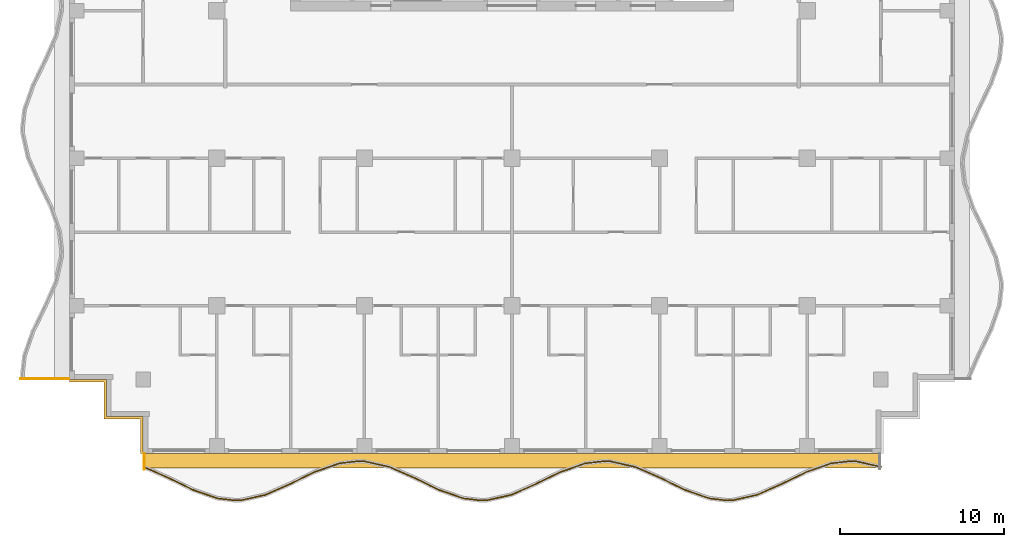
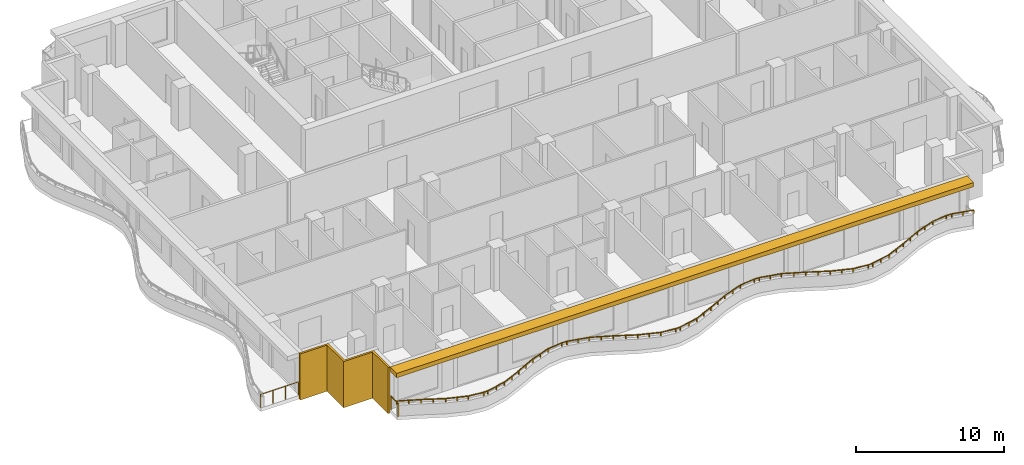
# One storey, part 8 of 11: 3 railings, 2 shading devices.
"""IFC4 building model written with IfcOpenShell, lengths in metres."""

from ifc_helpers import new_model, si_unit, direction, frame, origin, origin_2d, place, context, subcontext, project, spatial, polyline, rectangle, outline, extrude, material, layer, layer_set, type_object, element, save


model = new_model("IFC4")

# Units and contexts
model_context = context("Model", 3, precision=1e-05, world=origin(), true_north=direction((0.0, 1.0)))
body_context = subcontext(model_context, "Body", "Model", "MODEL_VIEW")
ifc_project = project(units=[si_unit("LENGTHUNIT", "METRE"), si_unit("AREAUNIT", "SQUARE_METRE"), si_unit("VOLUMEUNIT", "CUBIC_METRE"), si_unit("PLANEANGLEUNIT", "RADIAN"), si_unit("MASSUNIT", "GRAM", prefix="KILO")], contexts=[model_context])

# Site, building, storey
site_placement = place(None, origin())
site = spatial("IfcSite", under=ifc_project, at=site_placement, CompositionType="ELEMENT")
building_placement = place(site_placement, origin())
building = spatial("IfcBuilding", under=site, at=building_placement, Name="Orbiselva Terraces", CompositionType="ELEMENT")
storey_placement = place(building_placement, frame((0.0, 0.0, 238.8)))
storey = spatial("IfcBuildingStorey", under=building, at=storey_placement, Name="L60", CompositionType="ELEMENT", Elevation=238.8)

# Railings
ifc_material_1 = material(Name="Bonded two-ply safety glass balustrade, stainless steel posts", Category="steel")
railing_type_1 = type_object("IfcRailingType", Name="ENV-BALUSTRADE-1200", PredefinedType="BALUSTRADE", material=ifc_material_1)
railing_1_placement = place(storey_placement, frame((-22.449606, -23.33708, 0.9)))
element("IfcRailing", 1, at=railing_1_placement, inside=storey, type_object=railing_type_1, Name="Balcony balustrade L60 S", PredefinedType="BALUSTRADE", context=body_context, shape_type="SweptSolid", body=[
    extrude(outline(polyline([(0.028868, 0.0), (0.014434, 0.025), (-0.014434, 0.025), (-0.028868, 0.0), (-0.014434, -0.025), (0.014434, -0.025), (0.028868, 0.0)])), frame((0.0, 0.0, 0.275), z_axis=(0.915133394491, -0.403151175476, 0.0), x_axis=(0.403151175476, 0.915133394491, 0.0)), (0.0, 0.0, 1.0), 1.641563),
    extrude(outline(polyline([(0.028868, 0.0), (0.014434, 0.025), (-0.014434, 0.025), (-0.028868, 0.0), (-0.014434, -0.025), (0.014434, -0.025), (0.028868, 0.0)])), frame((1.502249, -0.661798, 0.275), z_axis=(0.89857890432, -0.438811978768, 0.0), x_axis=(0.438811978768, 0.89857890432, 0.0)), (0.0, 0.0, 1.0), 1.66438),
    extrude(outline(polyline([(0.028868, 0.0), (0.014434, 0.025), (-0.014434, 0.025), (-0.028868, 0.0), (-0.014434, -0.025), (0.014434, -0.025), (0.028868, 0.0)])), frame((2.997826, -1.392148, 0.275), z_axis=(0.943972277814, -0.330024754707, 0.0), x_axis=(0.330024754707, 0.943972277814, 0.0)), (0.0, 0.0, 1.0), 1.567807),
    extrude(outline(polyline([(0.028868, 0.0), (0.014434, 0.025), (-0.014434, 0.025), (-0.028868, 0.0), (-0.014434, -0.025), (0.014434, -0.025), (0.028868, 0.0)])), frame((4.477792, -1.909563, 0.275), z_axis=(0.993309658409, -0.115481264762, 0.0), x_axis=(0.115481264762, 0.993309658409, 0.0)), (0.0, 0.0, 1.0), 1.10902),
    extrude(outline(polyline([(0.028868, 0.0), (0.014434, 0.025), (-0.014434, 0.025), (-0.028868, 0.0), (-0.014434, -0.025), (0.014434, -0.025), (0.028868, 0.0)])), frame((5.579392, -2.037634, 0.275), z_axis=(0.999224931454, 0.039364150694, 0.0), x_axis=(-0.039364150694, 0.999224931454, 0.0)), (0.0, 0.0, 1.0), 0.354206),
    extrude(outline(polyline([(0.028868, 0.0), (0.014434, 0.025), (-0.014434, 0.025), (-0.028868, 0.0), (-0.014434, -0.025), (0.014434, -0.025), (0.028868, 0.0)])), frame((5.933323, -2.023691, 0.275), z_axis=(0.975721325753, 0.219015740235, 0.0), x_axis=(-0.219015740235, 0.975721325753, 0.0)), (0.0, 0.0, 1.0), 1.513782),
    extrude(outline(polyline([(0.028868, 0.0), (0.014434, 0.025), (-0.014434, 0.025), (-0.028868, 0.0), (-0.014434, -0.025), (0.014434, -0.025), (0.028868, 0.0)])), frame((7.410352, -1.692149, 0.275), z_axis=(0.915133363686, 0.403151245402, 0.0), x_axis=(-0.403151245402, 0.915133363686, 0.0)), (0.0, 0.0, 1.0), 1.624475),
    extrude(outline(polyline([(0.028868, 0.0), (0.014434, 0.025), (-0.014434, 0.025), (-0.028868, 0.0), (-0.014434, -0.025), (0.014434, -0.025), (0.028868, 0.0)])), frame((8.896963, -1.03724, 0.275), z_axis=(0.898578870221, 0.438812048596, 0.0), x_axis=(-0.438812048596, 0.898578870221, 0.0)), (0.0, 0.0, 1.0), 1.674225),
    extrude(outline(polyline([(0.028868, 0.0), (0.014434, 0.025), (-0.014434, 0.025), (-0.028868, 0.0), (-0.014434, -0.025), (0.014434, -0.025), (0.028868, 0.0)])), frame((10.401386, -0.30257, 0.275), z_axis=(0.943972332783, 0.330024597479, 0.0), x_axis=(-0.330024597479, 0.943972332783, 0.0)), (0.0, 0.0, 1.0), 1.610253),
    extrude(outline(polyline([(0.028868, 0.0), (0.014434, 0.025), (-0.014434, 0.025), (-0.028868, 0.0), (-0.014434, -0.025), (0.014434, -0.025), (0.028868, 0.0)])), frame((11.92142, 0.228853, 0.275), z_axis=(0.993309551734, 0.115482182324, 0.0), x_axis=(-0.115482182324, 0.993309551734, 0.0)), (0.0, 0.0, 1.0), 1.156135),
    extrude(outline(polyline([(0.028868, 0.0), (0.014434, 0.025), (-0.014434, 0.025), (-0.028868, 0.0), (-0.014434, -0.025), (0.014434, -0.025), (0.028868, 0.0)])), frame((13.06982, 0.362366, 0.275), z_axis=(0.999224734286, -0.03936915532, 0.0), x_axis=(0.03936915532, 0.999224734286, 0.0)), (0.0, 0.0, 1.0), 0.396376),
    extrude(outline(polyline([(0.028868, 0.0), (0.014434, 0.025), (-0.014434, 0.025), (-0.028868, 0.0), (-0.014434, -0.025), (0.014434, -0.025), (0.028868, 0.0)])), frame((13.465889, 0.346761, 0.275), z_axis=(0.97572137947, -0.219015500924, 0.0), x_axis=(0.219015500924, 0.97572137947, 0.0)), (0.0, 0.0, 1.0), 1.560867),
    extrude(outline(polyline([(0.028868, 0.0), (0.014434, 0.025), (-0.014434, 0.025), (-0.028868, 0.0), (-0.014434, -0.025), (0.014434, -0.025), (0.028868, 0.0)])), frame((14.98886, 0.004907, 0.275), z_axis=(0.915133527237, -0.403150874148, 0.0), x_axis=(0.403150874148, 0.915133527237, 0.0)), (0.0, 0.0, 1.0), 1.653736),
    extrude(outline(polyline([(0.028868, 0.0), (0.014434, 0.025), (-0.014434, 0.025), (-0.028868, 0.0), (-0.014434, -0.025), (0.014434, -0.025), (0.028868, 0.0)])), frame((16.502249, -0.661798, 0.275), z_axis=(0.89857890432, -0.438811978768, 0.0), x_axis=(0.438811978768, 0.89857890432, 0.0)), (0.0, 0.0, 1.0), 1.66438),
    extrude(outline(polyline([(0.028868, 0.0), (0.014434, 0.025), (-0.014434, 0.025), (-0.028868, 0.0), (-0.014434, -0.025), (0.014434, -0.025), (0.028868, 0.0)])), frame((17.997826, -1.392148, 0.275), z_axis=(0.943972277814, -0.330024754707, 0.0), x_axis=(0.330024754707, 0.943972277814, 0.0)), (0.0, 0.0, 1.0), 1.567807),
    extrude(outline(polyline([(0.028868, 0.0), (0.014434, 0.025), (-0.014434, 0.025), (-0.028868, 0.0), (-0.014434, -0.025), (0.014434, -0.025), (0.028868, 0.0)])), frame((19.477792, -1.909563, 0.275), z_axis=(0.993309658409, -0.115481264762, 0.0), x_axis=(0.115481264762, 0.993309658409, 0.0)), (0.0, 0.0, 1.0), 1.10902),
    extrude(outline(polyline([(0.028868, 0.0), (0.014434, 0.025), (-0.014434, 0.025), (-0.028868, 0.0), (-0.014434, -0.025), (0.014434, -0.025), (0.028868, 0.0)])), frame((20.579392, -2.037634, 0.275), z_axis=(0.999224931454, 0.039364150694, 0.0), x_axis=(-0.039364150694, 0.999224931454, 0.0)), (0.0, 0.0, 1.0), 0.354206),
    extrude(outline(polyline([(0.028868, 0.0), (0.014434, 0.025), (-0.014434, 0.025), (-0.028868, 0.0), (-0.014434, -0.025), (0.014434, -0.025), (0.028868, 0.0)])), frame((20.933323, -2.023691, 0.275), z_axis=(0.975721325753, 0.219015740235, 0.0), x_axis=(-0.219015740235, 0.975721325753, 0.0)), (0.0, 0.0, 1.0), 1.513782),
    extrude(outline(polyline([(0.028868, 0.0), (0.014434, 0.025), (-0.014434, 0.025), (-0.028868, 0.0), (-0.014434, -0.025), (0.014434, -0.025), (0.028868, 0.0)])), frame((22.410352, -1.692149, 0.275), z_axis=(0.915133363686, 0.403151245402, 0.0), x_axis=(-0.403151245402, 0.915133363686, 0.0)), (0.0, 0.0, 1.0), 1.624475),
    extrude(outline(polyline([(0.028868, 0.0), (0.014434, 0.025), (-0.014434, 0.025), (-0.028868, 0.0), (-0.014434, -0.025), (0.014434, -0.025), (0.028868, 0.0)])), frame((23.896963, -1.03724, 0.275), z_axis=(0.898578870221, 0.438812048596, 0.0), x_axis=(-0.438812048596, 0.898578870221, 0.0)), (0.0, 0.0, 1.0), 1.674225),
    extrude(outline(polyline([(0.028868, 0.0), (0.014434, 0.025), (-0.014434, 0.025), (-0.028868, 0.0), (-0.014434, -0.025), (0.014434, -0.025), (0.028868, 0.0)])), frame((25.401386, -0.30257, 0.275), z_axis=(0.943972332783, 0.330024597479, 0.0), x_axis=(-0.330024597479, 0.943972332783, 0.0)), (0.0, 0.0, 1.0), 1.610253),
    extrude(outline(polyline([(0.028868, 0.0), (0.014434, 0.025), (-0.014434, 0.025), (-0.028868, 0.0), (-0.014434, -0.025), (0.014434, -0.025), (0.028868, 0.0)])), frame((26.92142, 0.228853, 0.275), z_axis=(0.993309551734, 0.115482182324, 0.0), x_axis=(-0.115482182324, 0.993309551734, 0.0)), (0.0, 0.0, 1.0), 1.156135),
    extrude(outline(polyline([(0.028868, 0.0), (0.014434, 0.025), (-0.014434, 0.025), (-0.028868, 0.0), (-0.014434, -0.025), (0.014434, -0.025), (0.028868, 0.0)])), frame((28.06982, 0.362366, 0.275), z_axis=(0.999224734286, -0.03936915532, 0.0), x_axis=(0.03936915532, 0.999224734286, 0.0)), (0.0, 0.0, 1.0), 0.396376),
    extrude(outline(polyline([(0.028868, 0.0), (0.014434, 0.025), (-0.014434, 0.025), (-0.028868, 0.0), (-0.014434, -0.025), (0.014434, -0.025), (0.028868, 0.0)])), frame((28.465889, 0.346761, 0.275), z_axis=(0.97572137947, -0.219015500924, 0.0), x_axis=(0.219015500924, 0.97572137947, 0.0)), (0.0, 0.0, 1.0), 1.560867),
    extrude(outline(polyline([(0.028868, 0.0), (0.014434, 0.025), (-0.014434, 0.025), (-0.028868, 0.0), (-0.014434, -0.025), (0.014434, -0.025), (0.028868, 0.0)])), frame((29.98886, 0.004907, 0.275), z_axis=(0.915133527237, -0.403150874148, 0.0), x_axis=(0.403150874148, 0.915133527237, 0.0)), (0.0, 0.0, 1.0), 1.653736),
    extrude(outline(polyline([(0.028868, 0.0), (0.014434, 0.025), (-0.014434, 0.025), (-0.028868, 0.0), (-0.014434, -0.025), (0.014434, -0.025), (0.028868, 0.0)])), frame((31.502249, -0.661798, 0.275), z_axis=(0.89857890432, -0.438811978768, 0.0), x_axis=(0.438811978768, 0.89857890432, 0.0)), (0.0, 0.0, 1.0), 1.66438),
    extrude(outline(polyline([(0.028868, 0.0), (0.014434, 0.025), (-0.014434, 0.025), (-0.028868, 0.0), (-0.014434, -0.025), (0.014434, -0.025), (0.028868, 0.0)])), frame((32.997826, -1.392148, 0.275), z_axis=(0.943972277814, -0.330024754707, 0.0), x_axis=(0.330024754707, 0.943972277814, 0.0)), (0.0, 0.0, 1.0), 1.567807),
    extrude(outline(polyline([(0.028868, 0.0), (0.014434, 0.025), (-0.014434, 0.025), (-0.028868, 0.0), (-0.014434, -0.025), (0.014434, -0.025), (0.028868, 0.0)])), frame((34.477792, -1.909563, 0.275), z_axis=(0.993309658409, -0.115481264762, 0.0), x_axis=(0.115481264762, 0.993309658409, 0.0)), (0.0, 0.0, 1.0), 1.10902),
    extrude(outline(polyline([(0.028868, 0.0), (0.014434, 0.025), (-0.014434, 0.025), (-0.028868, 0.0), (-0.014434, -0.025), (0.014434, -0.025), (0.028868, 0.0)])), frame((35.579392, -2.037634, 0.275), z_axis=(0.999224931454, 0.039364150694, 0.0), x_axis=(-0.039364150694, 0.999224931454, 0.0)), (0.0, 0.0, 1.0), 0.354206),
    extrude(outline(polyline([(0.028868, 0.0), (0.014434, 0.025), (-0.014434, 0.025), (-0.028868, 0.0), (-0.014434, -0.025), (0.014434, -0.025), (0.028868, 0.0)])), frame((35.933323, -2.023691, 0.275), z_axis=(0.975721325753, 0.219015740235, 0.0), x_axis=(-0.219015740235, 0.975721325753, 0.0)), (0.0, 0.0, 1.0), 1.513782),
    extrude(outline(polyline([(0.028868, 0.0), (0.014434, 0.025), (-0.014434, 0.025), (-0.028868, 0.0), (-0.014434, -0.025), (0.014434, -0.025), (0.028868, 0.0)])), frame((37.410352, -1.692149, 0.275), z_axis=(0.915133363686, 0.403151245402, 0.0), x_axis=(-0.403151245402, 0.915133363686, 0.0)), (0.0, 0.0, 1.0), 1.624475),
    extrude(outline(polyline([(0.028868, 0.0), (0.014434, 0.025), (-0.014434, 0.025), (-0.028868, 0.0), (-0.014434, -0.025), (0.014434, -0.025), (0.028868, 0.0)])), frame((38.896963, -1.03724, 0.275), z_axis=(0.898578870221, 0.438812048596, 0.0), x_axis=(-0.438812048596, 0.898578870221, 0.0)), (0.0, 0.0, 1.0), 1.674225),
    extrude(outline(polyline([(0.028868, 0.0), (0.014434, 0.025), (-0.014434, 0.025), (-0.028868, 0.0), (-0.014434, -0.025), (0.014434, -0.025), (0.028868, 0.0)])), frame((40.401386, -0.30257, 0.275), z_axis=(0.943972332783, 0.330024597479, 0.0), x_axis=(-0.330024597479, 0.943972332783, 0.0)), (0.0, 0.0, 1.0), 1.610253),
    extrude(outline(polyline([(0.028868, 0.0), (0.014434, 0.025), (-0.014434, 0.025), (-0.028868, 0.0), (-0.014434, -0.025), (0.014434, -0.025), (0.028868, 0.0)])), frame((41.92142, 0.228853, 0.275), z_axis=(0.993309551734, 0.115482182324, 0.0), x_axis=(-0.115482182324, 0.993309551734, 0.0)), (0.0, 0.0, 1.0), 1.156135),
    extrude(outline(polyline([(0.028868, 0.0), (0.014434, 0.025), (-0.014434, 0.025), (-0.028868, 0.0), (-0.014434, -0.025), (0.014434, -0.025), (0.028868, 0.0)])), frame((43.06982, 0.362366, 0.275), z_axis=(0.999224734286, -0.03936915532, 0.0), x_axis=(0.03936915532, 0.999224734286, 0.0)), (0.0, 0.0, 1.0), 0.396376),
    extrude(outline(polyline([(0.028868, 0.0), (0.014434, 0.025), (-0.014434, 0.025), (-0.028868, 0.0), (-0.014434, -0.025), (0.014434, -0.025), (0.028868, 0.0)])), frame((43.465889, 0.346761, 0.275), z_axis=(0.97572138316, -0.219015484484, 0.0), x_axis=(0.219015484484, 0.97572138316, 0.0)), (0.0, 0.0, 1.0), 1.548694),
    extrude(rectangle(XDim=0.05, YDim=0.05, at=origin_2d()), origin(), (0.0, 0.0, 1.0), 0.25),
    extrude(rectangle(XDim=0.05, YDim=0.05, at=origin_2d()), frame((0.751124, -0.330899, 0.0)), (0.0, 0.0, 1.0), 0.25),
    extrude(rectangle(XDim=0.05, YDim=0.05, at=origin_2d()), frame((1.502249, -0.661798, 0.0)), (0.0, 0.0, 1.0), 0.25),
    extrude(rectangle(XDim=0.05, YDim=0.05, at=origin_2d()), frame((2.250037, -1.026973, 0.0)), (0.0, 0.0, 1.0), 0.25),
    extrude(rectangle(XDim=0.05, YDim=0.05, at=origin_2d()), frame((2.997826, -1.392148, 0.0)), (0.0, 0.0, 1.0), 0.25),
    extrude(rectangle(XDim=0.05, YDim=0.05, at=origin_2d()), frame((3.737809, -1.650855, 0.0)), (0.0, 0.0, 1.0), 0.25),
    extrude(rectangle(XDim=0.05, YDim=0.05, at=origin_2d()), frame((4.477792, -1.909563, 0.0)), (0.0, 0.0, 1.0), 0.25),
    extrude(rectangle(XDim=0.05, YDim=0.05, at=origin_2d()), frame((5.579392, -2.037634, 0.0)), (0.0, 0.0, 1.0), 0.25),
    extrude(rectangle(XDim=0.05, YDim=0.05, at=origin_2d()), frame((5.933323, -2.023691, 0.0)), (0.0, 0.0, 1.0), 0.25),
    extrude(rectangle(XDim=0.05, YDim=0.05, at=origin_2d()), frame((6.671837, -1.85792, 0.0)), (0.0, 0.0, 1.0), 0.25),
    extrude(rectangle(XDim=0.05, YDim=0.05, at=origin_2d()), frame((7.410352, -1.692149, 0.0)), (0.0, 0.0, 1.0), 0.25),
    extrude(rectangle(XDim=0.05, YDim=0.05, at=origin_2d()), frame((8.153658, -1.364695, 0.0)), (0.0, 0.0, 1.0), 0.25),
    extrude(rectangle(XDim=0.05, YDim=0.05, at=origin_2d()), frame((8.896963, -1.03724, 0.0)), (0.0, 0.0, 1.0), 0.25),
    extrude(rectangle(XDim=0.05, YDim=0.05, at=origin_2d()), frame((9.649174, -0.669905, 0.0)), (0.0, 0.0, 1.0), 0.25),
    extrude(rectangle(XDim=0.05, YDim=0.05, at=origin_2d()), frame((10.401386, -0.30257, 0.0)), (0.0, 0.0, 1.0), 0.25),
    extrude(rectangle(XDim=0.05, YDim=0.05, at=origin_2d()), frame((11.161403, -0.036858, 0.0)), (0.0, 0.0, 1.0), 0.25),
    extrude(rectangle(XDim=0.05, YDim=0.05, at=origin_2d()), frame((11.92142, 0.228853, 0.0)), (0.0, 0.0, 1.0), 0.25),
    extrude(rectangle(XDim=0.05, YDim=0.05, at=origin_2d()), frame((13.06982, 0.362366, 0.0)), (0.0, 0.0, 1.0), 0.25),
    extrude(rectangle(XDim=0.05, YDim=0.05, at=origin_2d()), frame((13.465889, 0.346761, 0.0)), (0.0, 0.0, 1.0), 0.25),
    extrude(rectangle(XDim=0.05, YDim=0.05, at=origin_2d()), frame((14.227374, 0.175834, 0.0)), (0.0, 0.0, 1.0), 0.25),
    extrude(rectangle(XDim=0.05, YDim=0.05, at=origin_2d()), frame((14.98886, 0.004907, 0.0)), (0.0, 0.0, 1.0), 0.25),
    extrude(rectangle(XDim=0.05, YDim=0.05, at=origin_2d()), frame((15.745554, -0.328446, 0.0)), (0.0, 0.0, 1.0), 0.25),
    extrude(rectangle(XDim=0.05, YDim=0.05, at=origin_2d()), frame((16.502249, -0.661798, 0.0)), (0.0, 0.0, 1.0), 0.25),
    extrude(rectangle(XDim=0.05, YDim=0.05, at=origin_2d()), frame((17.250037, -1.026973, 0.0)), (0.0, 0.0, 1.0), 0.25),
    extrude(rectangle(XDim=0.05, YDim=0.05, at=origin_2d()), frame((17.997826, -1.392148, 0.0)), (0.0, 0.0, 1.0), 0.25),
    extrude(rectangle(XDim=0.05, YDim=0.05, at=origin_2d()), frame((18.737809, -1.650855, 0.0)), (0.0, 0.0, 1.0), 0.25),
    extrude(rectangle(XDim=0.05, YDim=0.05, at=origin_2d()), frame((19.477792, -1.909563, 0.0)), (0.0, 0.0, 1.0), 0.25),
    extrude(rectangle(XDim=0.05, YDim=0.05, at=origin_2d()), frame((20.579392, -2.037634, 0.0)), (0.0, 0.0, 1.0), 0.25),
    extrude(rectangle(XDim=0.05, YDim=0.05, at=origin_2d()), frame((20.933323, -2.023691, 0.0)), (0.0, 0.0, 1.0), 0.25),
    extrude(rectangle(XDim=0.05, YDim=0.05, at=origin_2d()), frame((21.671838, -1.85792, 0.0)), (0.0, 0.0, 1.0), 0.25),
    extrude(rectangle(XDim=0.05, YDim=0.05, at=origin_2d()), frame((22.410352, -1.692149, 0.0)), (0.0, 0.0, 1.0), 0.25),
    extrude(rectangle(XDim=0.05, YDim=0.05, at=origin_2d()), frame((23.153658, -1.364695, 0.0)), (0.0, 0.0, 1.0), 0.25),
    extrude(rectangle(XDim=0.05, YDim=0.05, at=origin_2d()), frame((23.896963, -1.03724, 0.0)), (0.0, 0.0, 1.0), 0.25),
    extrude(rectangle(XDim=0.05, YDim=0.05, at=origin_2d()), frame((24.649174, -0.669905, 0.0)), (0.0, 0.0, 1.0), 0.25),
    extrude(rectangle(XDim=0.05, YDim=0.05, at=origin_2d()), frame((25.401386, -0.30257, 0.0)), (0.0, 0.0, 1.0), 0.25),
    extrude(rectangle(XDim=0.05, YDim=0.05, at=origin_2d()), frame((26.161403, -0.036858, 0.0)), (0.0, 0.0, 1.0), 0.25),
    extrude(rectangle(XDim=0.05, YDim=0.05, at=origin_2d()), frame((26.92142, 0.228853, 0.0)), (0.0, 0.0, 1.0), 0.25),
    extrude(rectangle(XDim=0.05, YDim=0.05, at=origin_2d()), frame((28.06982, 0.362366, 0.0)), (0.0, 0.0, 1.0), 0.25),
    extrude(rectangle(XDim=0.05, YDim=0.05, at=origin_2d()), frame((28.465889, 0.346761, 0.0)), (0.0, 0.0, 1.0), 0.25),
    extrude(rectangle(XDim=0.05, YDim=0.05, at=origin_2d()), frame((29.227374, 0.175834, 0.0)), (0.0, 0.0, 1.0), 0.25),
    extrude(rectangle(XDim=0.05, YDim=0.05, at=origin_2d()), frame((29.98886, 0.004907, 0.0)), (0.0, 0.0, 1.0), 0.25),
    extrude(rectangle(XDim=0.05, YDim=0.05, at=origin_2d()), frame((30.745554, -0.328446, 0.0)), (0.0, 0.0, 1.0), 0.25),
    extrude(rectangle(XDim=0.05, YDim=0.05, at=origin_2d()), frame((31.502249, -0.661798, 0.0)), (0.0, 0.0, 1.0), 0.25),
    extrude(rectangle(XDim=0.05, YDim=0.05, at=origin_2d()), frame((32.250038, -1.026973, 0.0)), (0.0, 0.0, 1.0), 0.25),
    extrude(rectangle(XDim=0.05, YDim=0.05, at=origin_2d()), frame((32.997826, -1.392148, 0.0)), (0.0, 0.0, 1.0), 0.25),
    extrude(rectangle(XDim=0.05, YDim=0.05, at=origin_2d()), frame((33.737809, -1.650855, 0.0)), (0.0, 0.0, 1.0), 0.25),
    extrude(rectangle(XDim=0.05, YDim=0.05, at=origin_2d()), frame((34.477792, -1.909563, 0.0)), (0.0, 0.0, 1.0), 0.25),
    extrude(rectangle(XDim=0.05, YDim=0.05, at=origin_2d()), frame((35.579392, -2.037634, 0.0)), (0.0, 0.0, 1.0), 0.25),
    extrude(rectangle(XDim=0.05, YDim=0.05, at=origin_2d()), frame((35.933323, -2.023691, 0.0)), (0.0, 0.0, 1.0), 0.25),
    extrude(rectangle(XDim=0.05, YDim=0.05, at=origin_2d()), frame((36.671838, -1.85792, 0.0)), (0.0, 0.0, 1.0), 0.25),
    extrude(rectangle(XDim=0.05, YDim=0.05, at=origin_2d()), frame((37.410352, -1.692149, 0.0)), (0.0, 0.0, 1.0), 0.25),
    extrude(rectangle(XDim=0.05, YDim=0.05, at=origin_2d()), frame((38.153658, -1.364695, 0.0)), (0.0, 0.0, 1.0), 0.25),
    extrude(rectangle(XDim=0.05, YDim=0.05, at=origin_2d()), frame((38.896963, -1.03724, 0.0)), (0.0, 0.0, 1.0), 0.25),
    extrude(rectangle(XDim=0.05, YDim=0.05, at=origin_2d()), frame((39.649174, -0.669905, 0.0)), (0.0, 0.0, 1.0), 0.25),
    extrude(rectangle(XDim=0.05, YDim=0.05, at=origin_2d()), frame((40.401386, -0.30257, 0.0)), (0.0, 0.0, 1.0), 0.25),
    extrude(rectangle(XDim=0.05, YDim=0.05, at=origin_2d()), frame((41.161403, -0.036858, 0.0)), (0.0, 0.0, 1.0), 0.25),
    extrude(rectangle(XDim=0.05, YDim=0.05, at=origin_2d()), frame((41.92142, 0.228853, 0.0)), (0.0, 0.0, 1.0), 0.25),
    extrude(rectangle(XDim=0.05, YDim=0.05, at=origin_2d()), frame((43.06982, 0.362366, 0.0)), (0.0, 0.0, 1.0), 0.25),
    extrude(rectangle(XDim=0.05, YDim=0.05, at=origin_2d()), frame((43.465889, 0.346761, 0.0)), (0.0, 0.0, 1.0), 0.25),
    extrude(rectangle(XDim=0.05, YDim=0.05, at=origin_2d()), frame((44.221436, 0.177167, 0.0)), (0.0, 0.0, 1.0), 0.25),
    extrude(rectangle(XDim=0.05, YDim=0.05, at=origin_2d()), frame((44.976983, 0.007573, 0.0)), (0.0, 0.0, 1.0), 0.25),
])
ifc_material_2 = material(Name="Stainless steel rail and posts", Category="steel")
railing_type_2 = type_object("IfcRailingType", Name="ENV-GUARD-1105", PredefinedType="BALUSTRADE", material=ifc_material_2)
railing_2_placement = place(storey_placement, frame((-22.44, -23.473063, 0.0)))
element("IfcRailing", 2, at=railing_2_placement, inside=storey, type_object=railing_type_2, Name="Balcony end guard L60 S", PredefinedType="BALUSTRADE", context=body_context, shape_type="SweptSolid", body=[
    extrude(outline(polyline([(0.028868, 0.0), (0.014434, 0.025), (-0.014434, 0.025), (-0.028868, 0.0), (-0.014434, -0.025), (0.014434, -0.025), (0.028868, 0.0)])), frame((0.0, 0.0, 1.08), z_axis=(0.0, 1.0, 0.0), x_axis=(-1.0, 0.0, 0.0)), (0.0, 0.0, 1.0), 0.948063),
    extrude(rectangle(XDim=0.05, YDim=0.05, at=origin_2d()), origin(), (0.0, 0.0, 1.0), 1.055),
    extrude(rectangle(XDim=0.05, YDim=0.05, at=origin_2d()), frame((0.0, 0.948063, 0.0)), (0.0, 0.0, 1.0), 1.055),
])
railing_3_placement = place(storey_placement, frame((-29.989569, -17.94, 0.0)))
element("IfcRailing", 3, at=railing_3_placement, inside=storey, type_object=railing_type_2, Name="Balcony end guard L60 W", PredefinedType="BALUSTRADE", context=body_context, shape_type="SweptSolid", body=[
    extrude(outline(polyline([(0.028868, 0.0), (0.014434, 0.025), (-0.014434, 0.025), (-0.028868, 0.0), (-0.014434, -0.025), (0.014434, -0.025), (0.028868, 0.0)])), frame((0.0, 0.0, 1.08), z_axis=(1.0, 0.0, 0.0), x_axis=(0.0, 1.0, 0.0)), (0.0, 0.0, 1.0), 2.964569),
    extrude(rectangle(XDim=0.05, YDim=0.05, at=origin_2d()), origin(), (0.0, 0.0, 1.0), 1.055),
    extrude(rectangle(XDim=0.05, YDim=0.05, at=origin_2d()), frame((0.98819, 0.0, 0.0)), (0.0, 0.0, 1.0), 1.055),
    extrude(rectangle(XDim=0.05, YDim=0.05, at=origin_2d()), frame((1.976379, 0.0, 0.0)), (0.0, 0.0, 1.0), 1.055),
    extrude(rectangle(XDim=0.05, YDim=0.05, at=origin_2d()), frame((2.964569, 0.0, 0.0)), (0.0, 0.0, 1.0), 1.055),
])

# Shading devices
ifc_material_3 = material(Name="Terracotta louvre screen", Category="masonry")
ifc_layer_1 = layer(ifc_material_3, 0.15)
ifc_layer_set_1 = layer_set([ifc_layer_1], Name="Terracotta louvre screen")
shading_device_type_1 = type_object("IfcShadingDeviceType", Name="ENV-SCREEN-150", PredefinedType="USERDEFINED", material=ifc_layer_set_1)
shading_device_1_placement = place(storey_placement, frame((0.0, 0.0, -0.3)))
element("IfcShadingDevice", 4, at=shading_device_1_placement, inside=storey, type_object=shading_device_type_1, Name="Louvre screen L60 SW", ObjectType="SCREEN", PredefinedType="USERDEFINED", context=body_context, shape_type="SweptSolid", body=[
    extrude(outline(polyline([(-27.0, -18.15), (-24.9, -18.15), (-24.9, -20.4), (-22.65, -20.4), (-22.65, -22.5), (-22.5, -22.5), (-22.5, -20.25), (-24.75, -20.25), (-24.75, -18.0), (-27.0, -18.0), (-27.0, -18.15)])), origin(), (0.0, 0.0, 1.0), 3.8),
])
ifc_material_4 = material(Name="Terracotta baguette sunshade", Category="masonry")
ifc_layer_2 = layer(ifc_material_4, 0.35)
ifc_layer_set_2 = layer_set([ifc_layer_2], Name="Terracotta baguette sunshade")
shading_device_type_2 = type_object("IfcShadingDeviceType", Name="ENV-SUNSHADE-900x350", PredefinedType="USERDEFINED", material=ifc_layer_set_2)
shading_device_2_placement = place(storey_placement, frame((0.0, 0.0, 3.15)))
element("IfcShadingDevice", 5, at=shading_device_2_placement, inside=storey, type_object=shading_device_type_2, Name="Sunshade band L60 S", ObjectType="SUNSHADE", PredefinedType="USERDEFINED", context=body_context, shape_type="SweptSolid", body=[
    extrude(outline(polyline([(-22.5, -23.4), (22.5, -23.4), (22.5, -22.5), (-22.5, -22.5), (-22.5, -23.4)])), origin(), (0.0, 0.0, 1.0), 0.35),
])

save(model, "model.ifc")
